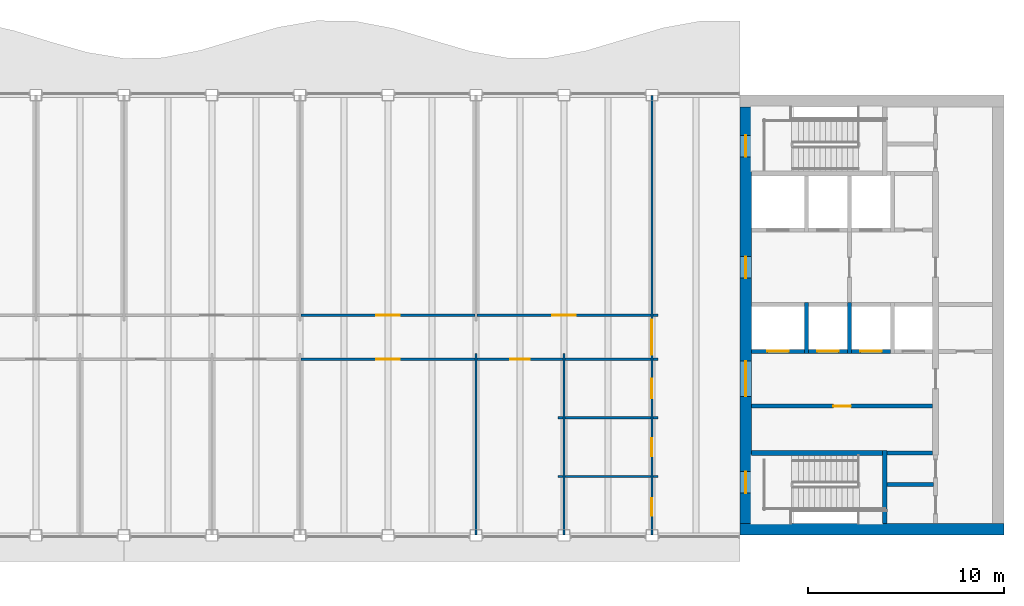
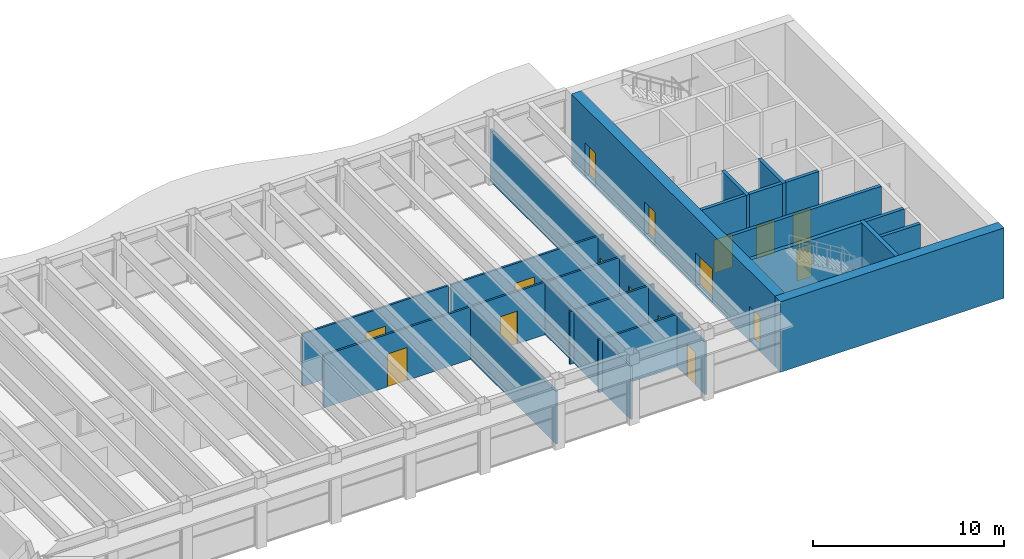
# One storey, part 9 of 14: 28 walls, 16 doors, 16 openings.
"""IFC4 building model written with IfcOpenShell, lengths in metres."""

from ifc_helpers import new_model, si_unit, direction, frame, frame_2d, origin, place, context, subcontext, project, spatial, rectangle, extrude, material, layer, layer_set, type_object, element, fill, save


model = new_model("IFC4")

# Units and contexts
model_context = context("Model", 3, precision=1e-05, world=origin(), true_north=direction((0.0, 1.0)))
body_context = subcontext(model_context, "Body", "Model", "MODEL_VIEW")
ifc_project = project(units=[si_unit("LENGTHUNIT", "METRE"), si_unit("AREAUNIT", "SQUARE_METRE"), si_unit("VOLUMEUNIT", "CUBIC_METRE"), si_unit("PLANEANGLEUNIT", "RADIAN"), si_unit("MASSUNIT", "GRAM", prefix="KILO")], contexts=[model_context])

# Site, building, storey
site_placement = place(None, origin())
site = spatial("IfcSite", under=ifc_project, at=site_placement, CompositionType="ELEMENT")
building_placement = place(site_placement, origin())
building = spatial("IfcBuilding", under=site, at=building_placement, Name="Sennacour Bend Tower", CompositionType="ELEMENT")
storey_placement = place(building_placement, frame((0.0, 0.0, 332.0)))
storey = spatial("IfcBuildingStorey", under=building, at=storey_placement, Name="L76", CompositionType="ELEMENT", Elevation=332.0)

# Wall
ifc_material_1 = material(Name="Concrete C50/60", Category="concrete")
ifc_layer_1 = layer(ifc_material_1, 0.60009765625, Name="Concrete C50/60", Category="concrete")
ifc_layer_set_1 = layer_set([ifc_layer_1], Name="Concrete C50/60")
wall_type_1 = type_object("IfcWallType", Name="Core wall 600 C50/60", PredefinedType="SHEAR", material=ifc_layer_set_1)
wall_1_placement = place(storey_placement, frame((67.5, 0.300048828125, -0.14990234375), z_axis=(0.0, 0.0, 1.0), x_axis=(-1.0, 0.0, 0.0)))
element("IfcWall", 1, at=wall_1_placement, inside=storey, type_object=wall_type_1, Name="Core A wall L76 S", PredefinedType="SHEAR", context=body_context, shape_type="SweptSolid", body=[
    extrude(rectangle(XDim=13.5, YDim=0.60009765625, at=frame_2d((6.75, 0.0))), origin(), (0.0, 0.0, 1.0), 4.5),
])

# Wall, openings, doors
wall_2_placement = place(storey_placement, frame((54.300048828125, 0.60009765625, -0.14990234375), z_axis=(0.0, 0.0, 1.0), x_axis=(0.0, 1.0, 0.0)))
wall_2 = element("IfcWall", 2, at=wall_2_placement, inside=storey, type_object=wall_type_1, Name="Core A wall L76 W", PredefinedType="SHEAR", context=body_context, shape_type="SweptSolid", body=[
    extrude(rectangle(XDim=21.2998046875, YDim=0.60009765625, at=frame_2d((10.64990234375, 0.0))), origin(), (0.0, 0.0, 1.0), 4.5),
])
opening_1_placement = place(wall_2_placement, frame((6.5, 0.0, 0.14990234375)))
opening_1 = element("IfcOpeningElement", 3, at=opening_1_placement, cuts=wall_2, Name="Opening CD", PredefinedType="OPENING", context=body_context, shape_type="SweptSolid", body=[
    extrude(rectangle(XDim=1.800048828125, YDim=2.10009765625, at=frame_2d((0.89990234375, 1.050048828125))), frame((0.0, 0.31005859375, 0.0), z_axis=(0.0, -1.0, 0.0), x_axis=(1.0, 0.0, 0.0)), (0.0, 0.0, 1.0), 0.6201171875),
])
opening_2_placement = place(wall_2_placement, frame((12.550048828125, 0.0, 0.14990234375)))
opening_2 = element("IfcOpeningElement", 4, at=opening_2_placement, cuts=wall_2, Name="Opening FD", PredefinedType="OPENING", context=body_context, shape_type="SweptSolid", body=[
    extrude(rectangle(XDim=1.10009765625, YDim=2.10009765625, at=frame_2d((0.550048828125, 1.050048828125))), frame((0.0, 0.31005859375, 0.0), z_axis=(0.0, -1.0, 0.0), x_axis=(1.0, 0.0, 0.0)), (0.0, 0.0, 1.0), 0.6201171875),
])
opening_3_placement = place(wall_2_placement, frame((1.550048828125, 0.0, 0.14990234375)))
opening_3 = element("IfcOpeningElement", 5, at=opening_3_placement, cuts=wall_2, Name="Opening SD", PredefinedType="OPENING", context=body_context, shape_type="SweptSolid", body=[
    extrude(rectangle(XDim=1.10009765625, YDim=2.10009765625, at=frame_2d((0.550048828125, 1.050048828125))), frame((0.0, 0.31005859375, 0.0), z_axis=(0.0, -1.0, 0.0), x_axis=(1.0, 0.0, 0.0)), (0.0, 0.0, 1.0), 0.6201171875),
])
opening_4_placement = place(wall_2_placement, frame((18.75, 0.0, 0.14990234375)))
opening_4 = element("IfcOpeningElement", 6, at=opening_4_placement, cuts=wall_2, Name="Opening SD", PredefinedType="OPENING", context=body_context, shape_type="SweptSolid", body=[
    extrude(rectangle(XDim=1.10009765625, YDim=2.10009765625, at=frame_2d((0.550048828125, 1.050048828125))), frame((0.0, 0.31005859375, 0.0), z_axis=(0.0, -1.0, 0.0), x_axis=(1.0, 0.0, 0.0)), (0.0, 0.0, 1.0), 0.6201171875),
])
ifc_material_2 = material(Name="Painted steel", Category="steel")
door_type_1 = type_object("IfcDoorType", Name="DR-FFL-1100", OperationType="NOTDEFINED", PredefinedType="DOOR", material=ifc_material_2)
door_1_placement = place(opening_2_placement, origin())
door_1 = element("IfcDoor", 7, at=door_1_placement, inside=storey, type_object=door_type_1, Name="Door", OperationType="SINGLE_SWING_RIGHT", OverallHeight=2.10009765625, OverallWidth=1.10009765625, PredefinedType="DOOR", context=body_context, shape_type="SweptSolid", body=[
    extrude(rectangle(XDim=1.10009765625, YDim=2.10009765625, at=frame_2d((0.550048828125, 1.050048828125))), frame((0.0, 0.02490234375, 0.0), z_axis=(0.0, -1.0, 0.0), x_axis=(1.0, 0.0, 0.0)), (0.0, 0.0, 1.0), 0.050048828125),
])
fill(opening_2, door_1)
door_type_2 = type_object("IfcDoorType", Name="DR-LOBBY-1800", OperationType="NOTDEFINED", PredefinedType="DOOR", material=ifc_material_2)
door_2_placement = place(opening_1_placement, origin())
door_2 = element("IfcDoor", 8, at=door_2_placement, inside=storey, type_object=door_type_2, Name="Door", OperationType="DOUBLE_DOOR_SINGLE_SWING", OverallHeight=2.10009765625, OverallWidth=1.800048828125, PredefinedType="DOOR", context=body_context, shape_type="SweptSolid", body=[
    extrude(rectangle(XDim=1.800048828125, YDim=2.10009765625, at=frame_2d((0.89990234375, 1.050048828125))), frame((0.0, 0.02490234375, 0.0), z_axis=(0.0, -1.0, 0.0), x_axis=(1.0, 0.0, 0.0)), (0.0, 0.0, 1.0), 0.050048828125),
])
fill(opening_1, door_2)
door_type_3 = type_object("IfcDoorType", Name="DR-STAIR-1100", OperationType="NOTDEFINED", PredefinedType="DOOR", material=ifc_material_2)
door_3_placement = place(opening_3_placement, origin())
door_3 = element("IfcDoor", 9, at=door_3_placement, inside=storey, type_object=door_type_3, Name="Door", OperationType="SINGLE_SWING_LEFT", OverallHeight=2.10009765625, OverallWidth=1.10009765625, PredefinedType="DOOR", context=body_context, shape_type="SweptSolid", body=[
    extrude(rectangle(XDim=1.10009765625, YDim=2.10009765625, at=frame_2d((0.550048828125, 1.050048828125))), frame((0.0, 0.02490234375, 0.0), z_axis=(0.0, -1.0, 0.0), x_axis=(1.0, 0.0, 0.0)), (0.0, 0.0, 1.0), 0.050048828125),
])
fill(opening_3, door_3)
door_4_placement = place(opening_4_placement, origin())
door_4 = element("IfcDoor", 10, at=door_4_placement, inside=storey, type_object=door_type_3, Name="Door", OperationType="SINGLE_SWING_RIGHT", OverallHeight=2.10009765625, OverallWidth=1.10009765625, PredefinedType="DOOR", context=body_context, shape_type="SweptSolid", body=[
    extrude(rectangle(XDim=1.10009765625, YDim=2.10009765625, at=frame_2d((0.550048828125, 1.050048828125))), frame((0.0, 0.02490234375, 0.0), z_axis=(0.0, -1.0, 0.0), x_axis=(1.0, 0.0, 0.0)), (0.0, 0.0, 1.0), 0.050048828125),
])
fill(opening_4, door_4)

# Walls
ifc_material_3 = material(Name="Plasterboard partition on steel studs", Category="steel")
ifc_layer_2 = layer(ifc_material_3, 0.1201171875, Name="Plasterboard partition on steel studs", Category="steel")
ifc_layer_set_2 = layer_set([ifc_layer_2], Name="Plasterboard partition on steel studs")
wall_type_2 = type_object("IfcWallType", Name="Partition 120", PredefinedType="PARTITIONING", material=ifc_layer_set_2)
for number, where, z_axis, x_axis, name in (
    (11, (40.5, 0.010009765625, 0.0), (0.0, 0.0, 1.0), (0.0, 1.0, 0.0), "P-L76-W014a"),
    (12, (45.0, 0.010009765625, 0.0), (0.0, 0.0, 1.0), (0.0, 1.0, 0.0), "P-L76-W016a"),
):
    element("IfcWall", number, at=place(storey_placement, frame(where, z_axis=z_axis, x_axis=x_axis)), inside=storey, type_object=wall_type_2, Name=name, PredefinedType="PARTITIONING", context=body_context, shape_type="SweptSolid", body=[
        extrude(rectangle(XDim=9.2900390625, YDim=0.1201171875, at=frame_2d((4.64501953125, 0.0))), origin(), (0.0, 0.0, 1.0), 3.35888671875),
    ])
wall_3_placement = place(storey_placement, frame((44.699951171875, 3.0, 0.0), z_axis=(0.0, 0.0, 1.0), x_axis=(1.0, 0.0, 0.0)))
element("IfcWall", 13, at=wall_3_placement, inside=storey, type_object=wall_type_2, Name="P-L76-W033aa", PredefinedType="PARTITIONING", context=body_context, shape_type="SweptSolid", body=[
    extrude(rectangle(XDim=0.239990234375, YDim=0.1201171875, at=frame_2d((0.1201171875, 0.0))), origin(), (0.0, 0.0, 1.0), 3.35888671875),
])
wall_4_placement = place(storey_placement, frame((45.06005859375, 3.0, 0.0), z_axis=(0.0, 0.0, 1.0), x_axis=(1.0, 0.0, 0.0)))
element("IfcWall", 14, at=wall_4_placement, inside=storey, type_object=wall_type_2, Name="P-L76-W033ab", PredefinedType="PARTITIONING", context=body_context, shape_type="SweptSolid", body=[
    extrude(rectangle(XDim=4.3798828125, YDim=0.1201171875, at=frame_2d((2.18994140625, 0.0))), origin(), (0.0, 0.0, 1.0), 3.35888671875),
])
for number, where, z_axis, x_axis, name in (
    (15, (49.56005859375, 3.0, 0.0), (0.0, 0.0, 1.0), (1.0, 0.0, 0.0), "P-L76-W033ac"),
    (16, (44.699951171875, 6.0, 0.0), (0.0, 0.0, 1.0), (1.0, 0.0, 0.0), "P-L76-W038aa"),
):
    element("IfcWall", number, at=place(storey_placement, frame(where, z_axis=z_axis, x_axis=x_axis)), inside=storey, type_object=wall_type_2, Name=name, PredefinedType="PARTITIONING", context=body_context, shape_type="SweptSolid", body=[
        extrude(rectangle(XDim=0.239990234375, YDim=0.1201171875, at=frame_2d((0.1201171875, 0.0))), origin(), (0.0, 0.0, 1.0), 3.35888671875),
    ])
wall_5_placement = place(storey_placement, frame((45.06005859375, 6.0, 0.0), z_axis=(0.0, 0.0, 1.0), x_axis=(1.0, 0.0, 0.0)))
element("IfcWall", 17, at=wall_5_placement, inside=storey, type_object=wall_type_2, Name="P-L76-W038ab", PredefinedType="PARTITIONING", context=body_context, shape_type="SweptSolid", body=[
    extrude(rectangle(XDim=4.3798828125, YDim=0.1201171875, at=frame_2d((2.18994140625, 0.0))), origin(), (0.0, 0.0, 1.0), 3.35888671875),
])
wall_6_placement = place(storey_placement, frame((49.56005859375, 6.0, 0.0), z_axis=(0.0, 0.0, 1.0), x_axis=(1.0, 0.0, 0.0)))
element("IfcWall", 18, at=wall_6_placement, inside=storey, type_object=wall_type_2, Name="P-L76-W038ac", PredefinedType="PARTITIONING", context=body_context, shape_type="SweptSolid", body=[
    extrude(rectangle(XDim=0.239990234375, YDim=0.1201171875, at=frame_2d((0.1201171875, 0.0))), origin(), (0.0, 0.0, 1.0), 3.35888671875),
])

# Wall, opening, door
wall_7_placement = place(storey_placement, frame((31.56005859375, 9.0, 0.0), z_axis=(0.0, 0.0, 1.0), x_axis=(1.0, 0.0, 0.0)))
wall_7 = element("IfcWall", 19, at=wall_7_placement, inside=storey, type_object=wall_type_2, Name="P-L76-W040af", PredefinedType="PARTITIONING", context=body_context, shape_type="SweptSolid", body=[
    extrude(rectangle(XDim=8.8798828125, YDim=0.1201171875, at=frame_2d((4.43994140625, 0.0))), origin(), (0.0, 0.0, 1.0), 3.35888671875),
])
opening_5_placement = place(wall_7_placement, frame((3.83984375, 0.0, 0.0)))
opening_5 = element("IfcOpeningElement", 20, at=opening_5_placement, cuts=wall_7, Name="Opening OD", PredefinedType="OPENING", context=body_context, shape_type="SweptSolid", body=[
    extrude(rectangle(XDim=1.199951171875, YDim=2.10009765625, at=frame_2d((0.60009765625, 1.050048828125))), frame((0.0, 0.070068359375, 0.0), z_axis=(0.0, -1.0, 0.0), x_axis=(1.0, 0.0, 0.0)), (0.0, 0.0, 1.0), 0.14013671875),
])
ifc_material_4 = material(Name="Timber", Category="wood")
door_type_4 = type_object("IfcDoorType", Name="DR-OFFICE-1200", OperationType="NOTDEFINED", PredefinedType="DOOR", material=ifc_material_4)
door_5_placement = place(opening_5_placement, origin())
door_5 = element("IfcDoor", 21, at=door_5_placement, inside=storey, type_object=door_type_4, Name="Door", OperationType="SINGLE_SWING_LEFT", OverallHeight=2.10009765625, OverallWidth=1.199951171875, PredefinedType="DOOR", context=body_context, shape_type="SweptSolid", body=[
    extrude(rectangle(XDim=1.199951171875, YDim=2.10009765625, at=frame_2d((0.60009765625, 1.050048828125))), frame((0.0, 0.02490234375, 0.0), z_axis=(0.0, -1.0, 0.0), x_axis=(1.0, 0.0, 0.0)), (0.0, 0.0, 1.0), 0.050048828125),
])
fill(opening_5, door_5)

wall_8_placement = place(storey_placement, frame((40.56005859375, 9.0, 0.0), z_axis=(0.0, 0.0, 1.0), x_axis=(1.0, 0.0, 0.0)))
wall_8 = element("IfcWall", 22, at=wall_8_placement, inside=storey, type_object=wall_type_2, Name="P-L76-W040ag", PredefinedType="PARTITIONING", context=body_context, shape_type="SweptSolid", body=[
    extrude(rectangle(XDim=4.3798828125, YDim=0.1201171875, at=frame_2d((2.18994140625, 0.0))), origin(), (0.0, 0.0, 1.0), 3.35888671875),
])
opening_6_placement = place(wall_8_placement, frame((1.68994140625, 0.0, 0.0)))
opening_6 = element("IfcOpeningElement", 23, at=opening_6_placement, cuts=wall_8, Name="Opening OD2", PredefinedType="OPENING", context=body_context, shape_type="SweptSolid", body=[
    extrude(rectangle(XDim=1.0, YDim=2.10009765625, at=frame_2d((0.5, 1.050048828125))), frame((0.0, 0.070068359375, 0.0), z_axis=(0.0, -1.0, 0.0), x_axis=(1.0, 0.0, 0.0)), (0.0, 0.0, 1.0), 0.14013671875),
])
door_type_5 = type_object("IfcDoorType", Name="DR-OFFICE-1000", OperationType="NOTDEFINED", PredefinedType="DOOR", material=ifc_material_4)
door_6_placement = place(opening_6_placement, origin())
door_6 = element("IfcDoor", 24, at=door_6_placement, inside=storey, type_object=door_type_5, Name="Door", OperationType="SINGLE_SWING_LEFT", OverallHeight=2.10009765625, OverallWidth=1.0, PredefinedType="DOOR", context=body_context, shape_type="SweptSolid", body=[
    extrude(rectangle(XDim=1.0, YDim=2.10009765625, at=frame_2d((0.5, 1.050048828125))), frame((0.0, 0.02490234375, 0.0), z_axis=(0.0, -1.0, 0.0), x_axis=(1.0, 0.0, 0.0)), (0.0, 0.0, 1.0), 0.050048828125),
])
fill(opening_6, door_6)

# Walls
wall_9_placement = place(storey_placement, frame((45.06005859375, 9.0, 0.0), z_axis=(0.0, 0.0, 1.0), x_axis=(1.0, 0.0, 0.0)))
element("IfcWall", 25, at=wall_9_placement, inside=storey, type_object=wall_type_2, Name="P-L76-W040ah", PredefinedType="PARTITIONING", context=body_context, shape_type="SweptSolid", body=[
    extrude(rectangle(XDim=4.3798828125, YDim=0.1201171875, at=frame_2d((2.18994140625, 0.0))), origin(), (0.0, 0.0, 1.0), 3.35888671875),
])
wall_10_placement = place(storey_placement, frame((49.56005859375, 9.0, 0.0), z_axis=(0.0, 0.0, 1.0), x_axis=(1.0, 0.0, 0.0)))
element("IfcWall", 26, at=wall_10_placement, inside=storey, type_object=wall_type_2, Name="P-L76-W040ai", PredefinedType="PARTITIONING", context=body_context, shape_type="SweptSolid", body=[
    extrude(rectangle(XDim=0.239990234375, YDim=0.1201171875, at=frame_2d((0.1201171875, 0.0))), origin(), (0.0, 0.0, 1.0), 3.35888671875),
])

# Wall, opening, door
wall_11_placement = place(storey_placement, frame((31.56005859375, 11.25, 0.0), z_axis=(0.0, 0.0, 1.0), x_axis=(1.0, 0.0, 0.0)))
wall_11 = element("IfcWall", 27, at=wall_11_placement, inside=storey, type_object=wall_type_2, Name="P-L76-W043ae", PredefinedType="PARTITIONING", context=body_context, shape_type="SweptSolid", body=[
    extrude(rectangle(XDim=8.8798828125, YDim=0.1201171875, at=frame_2d((4.43994140625, 0.0))), origin(), (0.0, 0.0, 1.0), 3.35888671875),
])
opening_7_placement = place(wall_11_placement, frame((3.83984375, 0.0, 0.0)))
opening_7 = element("IfcOpeningElement", 28, at=opening_7_placement, cuts=wall_11, Name="Opening MD", PredefinedType="OPENING", context=body_context, shape_type="SweptSolid", body=[
    extrude(rectangle(XDim=1.199951171875, YDim=2.10009765625, at=frame_2d((0.60009765625, 1.050048828125))), frame((0.0, 0.070068359375, 0.0), z_axis=(0.0, -1.0, 0.0), x_axis=(1.0, 0.0, 0.0)), (0.0, 0.0, 1.0), 0.14013671875),
])
door_type_6 = type_object("IfcDoorType", Name="DR-MEETING-1200", OperationType="NOTDEFINED", PredefinedType="DOOR", material=ifc_material_4)
door_7_placement = place(opening_7_placement, origin())
door_7 = element("IfcDoor", 29, at=door_7_placement, inside=storey, type_object=door_type_6, Name="Door", OperationType="SINGLE_SWING_LEFT", OverallHeight=2.10009765625, OverallWidth=1.199951171875, PredefinedType="DOOR", context=body_context, shape_type="SweptSolid", body=[
    extrude(rectangle(XDim=1.199951171875, YDim=2.10009765625, at=frame_2d((0.60009765625, 1.050048828125))), frame((0.0, 0.02490234375, 0.0), z_axis=(0.0, -1.0, 0.0), x_axis=(1.0, 0.0, 0.0)), (0.0, 0.0, 1.0), 0.050048828125),
])
fill(opening_7, door_7)

# Wall
wall_12_placement = place(storey_placement, frame((49.56005859375, 11.25, 0.0), z_axis=(0.0, 0.0, 1.0), x_axis=(1.0, 0.0, 0.0)))
element("IfcWall", 30, at=wall_12_placement, inside=storey, type_object=wall_type_2, Name="P-L76-W043ag", PredefinedType="PARTITIONING", context=body_context, shape_type="SweptSolid", body=[
    extrude(rectangle(XDim=0.239990234375, YDim=0.1201171875, at=frame_2d((0.1201171875, 0.0))), origin(), (0.0, 0.0, 1.0), 3.35888671875),
])

# Wall, openings, doors
ifc_layer_3 = layer(ifc_material_3, 0.1201171875, Name="Plasterboard partition on steel studs", Category="steel")
ifc_layer_set_3 = layer_set([ifc_layer_3], Name="Plasterboard partition on steel studs")
wall_type_3 = type_object("IfcWallType", Name="Partition 120 EI 30", PredefinedType="PARTITIONING", material=ifc_layer_set_3)
wall_13_placement = place(storey_placement, frame((49.5, 0.010009765625, 0.0), z_axis=(0.0, 0.0, 1.0), x_axis=(0.0, 1.0, 0.0)))
wall_13 = element("IfcWall", 31, at=wall_13_placement, inside=storey, type_object=wall_type_3, Name="P-L76-W017a", PredefinedType="PARTITIONING", context=body_context, shape_type="SweptSolid", body=[
    extrude(rectangle(XDim=22.47998046875, YDim=0.1201171875, at=frame_2d((11.239990234375, 0.0))), origin(), (0.0, 0.0, 1.0), 3.35888671875),
])
opening_8_placement = place(wall_13_placement, frame((9.215087890625, 0.0, 0.0)))
opening_8 = element("IfcOpeningElement", 32, at=opening_8_placement, cuts=wall_13, Name="Opening KD3", PredefinedType="OPENING", context=body_context, shape_type="SweptSolid", body=[
    extrude(rectangle(XDim=1.800048828125, YDim=2.10009765625, at=frame_2d((0.89990234375, 1.050048828125))), frame((0.0, 0.070068359375, 0.0), z_axis=(0.0, -1.0, 0.0), x_axis=(1.0, 0.0, 0.0)), (0.0, 0.0, 1.0), 0.14013671875),
])
opening_9_placement = place(wall_13_placement, frame((0.989990234375, 0.0, 0.0)))
opening_9 = element("IfcOpeningElement", 33, at=opening_9_placement, cuts=wall_13, Name="Opening WD", PredefinedType="OPENING", context=body_context, shape_type="SweptSolid", body=[
    extrude(rectangle(XDim=0.89990234375, YDim=2.10009765625, at=frame_2d((0.449951171875, 1.050048828125))), frame((0.0, 0.070068359375, 0.0), z_axis=(0.0, -1.0, 0.0), x_axis=(1.0, 0.0, 0.0)), (0.0, 0.0, 1.0), 0.14013671875),
])
opening_10_placement = place(wall_13_placement, frame((4.0400390625, 0.0, 0.0)))
opening_10 = element("IfcOpeningElement", 34, at=opening_10_placement, cuts=wall_13, Name="Opening WD", PredefinedType="OPENING", context=body_context, shape_type="SweptSolid", body=[
    extrude(rectangle(XDim=0.89990234375, YDim=2.10009765625, at=frame_2d((0.449951171875, 1.050048828125))), frame((0.0, 0.070068359375, 0.0), z_axis=(0.0, -1.0, 0.0), x_axis=(1.0, 0.0, 0.0)), (0.0, 0.0, 1.0), 0.14013671875),
])
opening_11_placement = place(wall_13_placement, frame((6.989990234375, 0.0, 0.0)))
opening_11 = element("IfcOpeningElement", 35, at=opening_11_placement, cuts=wall_13, Name="Opening AD", PredefinedType="OPENING", context=body_context, shape_type="SweptSolid", body=[
    extrude(rectangle(XDim=1.0, YDim=2.10009765625, at=frame_2d((0.5, 1.050048828125))), frame((0.0, 0.070068359375, 0.0), z_axis=(0.0, -1.0, 0.0), x_axis=(1.0, 0.0, 0.0)), (0.0, 0.0, 1.0), 0.14013671875),
])
door_type_7 = type_object("IfcDoorType", Name="DR-ACC-WC-1000", OperationType="NOTDEFINED", PredefinedType="DOOR", material=ifc_material_4)
door_8_placement = place(opening_11_placement, origin())
door_8 = element("IfcDoor", 36, at=door_8_placement, inside=storey, type_object=door_type_7, Name="Door", OperationType="SINGLE_SWING_LEFT", OverallHeight=2.10009765625, OverallWidth=1.0, PredefinedType="DOOR", context=body_context, shape_type="SweptSolid", body=[
    extrude(rectangle(XDim=1.0, YDim=2.10009765625, at=frame_2d((0.5, 1.050048828125))), frame((0.0, 0.02490234375, 0.0), z_axis=(0.0, -1.0, 0.0), x_axis=(1.0, 0.0, 0.0)), (0.0, 0.0, 1.0), 0.050048828125),
])
fill(opening_11, door_8)
door_type_8 = type_object("IfcDoorType", Name="DR-CORRIDOR-1800", OperationType="NOTDEFINED", PredefinedType="DOOR", material=ifc_material_2)
door_9_placement = place(opening_8_placement, origin())
door_9 = element("IfcDoor", 37, at=door_9_placement, inside=storey, type_object=door_type_8, Name="Door", OperationType="DOUBLE_DOOR_SINGLE_SWING", OverallHeight=2.10009765625, OverallWidth=1.800048828125, PredefinedType="DOOR", context=body_context, shape_type="SweptSolid", body=[
    extrude(rectangle(XDim=1.800048828125, YDim=2.10009765625, at=frame_2d((0.89990234375, 1.050048828125))), frame((0.0, 0.02490234375, 0.0), z_axis=(0.0, -1.0, 0.0), x_axis=(1.0, 0.0, 0.0)), (0.0, 0.0, 1.0), 0.050048828125),
])
fill(opening_8, door_9)
door_type_9 = type_object("IfcDoorType", Name="DR-WC-900", OperationType="NOTDEFINED", PredefinedType="DOOR", material=ifc_material_4)
door_10_placement = place(opening_9_placement, origin())
door_10 = element("IfcDoor", 38, at=door_10_placement, inside=storey, type_object=door_type_9, Name="Door", OperationType="SINGLE_SWING_LEFT", OverallHeight=2.10009765625, OverallWidth=0.89990234375, PredefinedType="DOOR", context=body_context, shape_type="SweptSolid", body=[
    extrude(rectangle(XDim=0.89990234375, YDim=2.10009765625, at=frame_2d((0.449951171875, 1.050048828125))), frame((0.0, 0.02490234375, 0.0), z_axis=(0.0, -1.0, 0.0), x_axis=(1.0, 0.0, 0.0)), (0.0, 0.0, 1.0), 0.050048828125),
])
fill(opening_9, door_10)
door_11_placement = place(opening_10_placement, origin())
door_11 = element("IfcDoor", 39, at=door_11_placement, inside=storey, type_object=door_type_9, Name="Door", OperationType="SINGLE_SWING_LEFT", OverallHeight=2.10009765625, OverallWidth=0.89990234375, PredefinedType="DOOR", context=body_context, shape_type="SweptSolid", body=[
    extrude(rectangle(XDim=0.89990234375, YDim=2.10009765625, at=frame_2d((0.449951171875, 1.050048828125))), frame((0.0, 0.02490234375, 0.0), z_axis=(0.0, -1.0, 0.0), x_axis=(1.0, 0.0, 0.0)), (0.0, 0.0, 1.0), 0.050048828125),
])
fill(opening_10, door_11)

# Wall, opening, door
ifc_layer_4 = layer(ifc_material_3, 0.1201171875, Name="Plasterboard partition on steel studs", Category="steel")
ifc_layer_set_4 = layer_set([ifc_layer_4], Name="Plasterboard partition on steel studs")
wall_type_4 = type_object("IfcWallType", Name="Partition 120 EI 60", PredefinedType="PARTITIONING", material=ifc_layer_set_4)
wall_14_placement = place(storey_placement, frame((40.56005859375, 11.25, 0.0), z_axis=(0.0, 0.0, 1.0), x_axis=(1.0, 0.0, 0.0)))
wall_14 = element("IfcWall", 40, at=wall_14_placement, inside=storey, type_object=wall_type_4, Name="P-L76-W043af", PredefinedType="PARTITIONING", context=body_context, shape_type="SweptSolid", body=[
    extrude(rectangle(XDim=8.8798828125, YDim=0.1201171875, at=frame_2d((4.43994140625, 0.0))), origin(), (0.0, 0.0, 1.0), 3.35888671875),
])
opening_12_placement = place(wall_14_placement, frame((3.83984375, 0.0, 0.0)))
opening_12 = element("IfcOpeningElement", 41, at=opening_12_placement, cuts=wall_14, Name="Opening SV5", PredefinedType="OPENING", context=body_context, shape_type="SweptSolid", body=[
    extrude(rectangle(XDim=1.199951171875, YDim=2.10009765625, at=frame_2d((0.60009765625, 1.050048828125))), frame((0.0, 0.070068359375, 0.0), z_axis=(0.0, -1.0, 0.0), x_axis=(1.0, 0.0, 0.0)), (0.0, 0.0, 1.0), 0.14013671875),
])
door_type_10 = type_object("IfcDoorType", Name="DR-SERVICE-1200", OperationType="NOTDEFINED", PredefinedType="DOOR", material=ifc_material_2)
door_12_placement = place(opening_12_placement, origin())
door_12 = element("IfcDoor", 42, at=door_12_placement, inside=storey, type_object=door_type_10, Name="Door", OperationType="SINGLE_SWING_LEFT", OverallHeight=2.10009765625, OverallWidth=1.199951171875, PredefinedType="DOOR", context=body_context, shape_type="SweptSolid", body=[
    extrude(rectangle(XDim=1.199951171875, YDim=2.10009765625, at=frame_2d((0.60009765625, 1.050048828125))), frame((0.0, 0.02490234375, 0.0), z_axis=(0.0, -1.0, 0.0), x_axis=(1.0, 0.0, 0.0)), (0.0, 0.0, 1.0), 0.050048828125),
])
fill(opening_12, door_12)

# Walls
ifc_material_5 = material(Name="Fire-rated plasterboard partition on steel studs", Category="steel")
ifc_layer_5 = layer(ifc_material_5, 0.199951171875, Name="Fire-rated plasterboard partition on steel studs", Category="steel")
ifc_layer_set_5 = layer_set([ifc_layer_5], Name="Fire-rated plasterboard partition on steel studs")
wall_type_5 = type_object("IfcWallType", Name="Rated partition 200", PredefinedType="PARTITIONING", material=ifc_layer_set_5)
wall_15_placement = place(storey_placement, frame((61.52490234375, 2.60009765625, 0.0), z_axis=(0.0, 0.0, 1.0), x_axis=(1.0, 0.0, 0.0)))
element("IfcWall", 43, at=wall_15_placement, inside=storey, type_object=wall_type_5, Name="P-L76-W032", PredefinedType="PARTITIONING", context=body_context, shape_type="SweptSolid", body=[
    extrude(rectangle(XDim=2.375, YDim=0.199951171875, at=frame_2d((1.1875, 0.0))), origin(), (0.0, 0.0, 1.0), 4.35009765625),
])
wall_16_placement = place(storey_placement, frame((61.52490234375, 4.199951171875, 0.0), z_axis=(0.0, 0.0, 1.0), x_axis=(1.0, 0.0, 0.0)))
element("IfcWall", 44, at=wall_16_placement, inside=storey, type_object=wall_type_5, Name="P-L76-W037", PredefinedType="PARTITIONING", context=body_context, shape_type="SweptSolid", body=[
    extrude(rectangle(XDim=2.3251953125, YDim=0.199951171875, at=frame_2d((1.16259765625, 0.0))), origin(), (0.0, 0.0, 1.0), 4.35009765625),
])

# Wall, opening, door
wall_17_placement = place(storey_placement, frame((54.60009765625, 6.60009765625, 0.0), z_axis=(0.0, 0.0, 1.0), x_axis=(1.0, 0.0, 0.0)))
wall_17 = element("IfcWall", 45, at=wall_17_placement, inside=storey, type_object=wall_type_5, Name="P-L76-W039", PredefinedType="PARTITIONING", context=body_context, shape_type="SweptSolid", body=[
    extrude(rectangle(XDim=9.25, YDim=0.199951171875, at=frame_2d((4.625, 0.0))), origin(), (0.0, 0.0, 1.0), 4.35009765625),
])
opening_13_placement = place(wall_17_placement, frame((4.1748046875, 0.0, 0.0)))
opening_13 = element("IfcOpeningElement", 46, at=opening_13_placement, cuts=wall_17, Name="Opening SV", PredefinedType="OPENING", context=body_context, shape_type="SweptSolid", body=[
    extrude(rectangle(XDim=0.89990234375, YDim=2.10009765625, at=frame_2d((0.449951171875, 1.050048828125))), frame((0.0, 0.10986328125, 0.0), z_axis=(0.0, -1.0, 0.0), x_axis=(1.0, 0.0, 0.0)), (0.0, 0.0, 1.0), 0.219970703125),
])
door_type_11 = type_object("IfcDoorType", Name="DR-SERVICE-900", OperationType="NOTDEFINED", PredefinedType="DOOR", material=ifc_material_2)
door_13_placement = place(opening_13_placement, origin())
door_13 = element("IfcDoor", 47, at=door_13_placement, inside=storey, type_object=door_type_11, Name="Door", OperationType="SINGLE_SWING_LEFT", OverallHeight=2.10009765625, OverallWidth=0.89990234375, PredefinedType="DOOR", context=body_context, shape_type="SweptSolid", body=[
    extrude(rectangle(XDim=0.89990234375, YDim=2.10009765625, at=frame_2d((0.449951171875, 1.050048828125))), frame((0.0, 0.02490234375, 0.0), z_axis=(0.0, -1.0, 0.0), x_axis=(1.0, 0.0, 0.0)), (0.0, 0.0, 1.0), 0.050048828125),
])
fill(opening_13, door_13)

# Walls
ifc_layer_6 = layer(ifc_material_1, 0.199951171875, Name="Concrete C50/60", Category="concrete")
ifc_layer_set_6 = layer_set([ifc_layer_6], Name="Concrete C50/60")
wall_type_6 = type_object("IfcWallType", Name="Shaft wall 200", PredefinedType="SOLIDWALL", material=ifc_layer_set_6)
for number, where, z_axis, x_axis, name in (
    (48, (57.39990234375, 9.300048828125, 0.0), (0.0, 0.0, 1.0), (0.0, 1.0, 0.0), "P-L76-W018"),
    (49, (59.60009765625, 9.300048828125, 0.0), (0.0, 0.0, 1.0), (0.0, 1.0, 0.0), "P-L76-W020"),
):
    element("IfcWall", number, at=place(storey_placement, frame(where, z_axis=z_axis, x_axis=x_axis)), inside=storey, type_object=wall_type_6, Name=name, PredefinedType="SOLIDWALL", context=body_context, shape_type="SweptSolid", body=[
        extrude(rectangle(XDim=2.599853515625, YDim=0.199951171875, at=frame_2d((1.2998046875, 0.0))), origin(), (0.0, 0.0, 1.0), 4.35009765625),
    ])

# Wall, opening, door
wall_18_placement = place(storey_placement, frame((54.60009765625, 9.39990234375, 0.0), z_axis=(0.0, 0.0, 1.0), x_axis=(1.0, 0.0, 0.0)))
wall_18 = element("IfcWall", 50, at=wall_18_placement, inside=storey, type_object=wall_type_6, Name="P-L76-W041a", PredefinedType="SOLIDWALL", context=body_context, shape_type="SweptSolid", body=[
    extrude(rectangle(XDim=2.699951171875, YDim=0.199951171875, at=frame_2d((1.35009765625, 0.0))), origin(), (0.0, 0.0, 1.0), 4.35009765625),
])
opening_14_placement = place(wall_18_placement, frame((0.7998046875, 0.0, 0.011962890625)))
opening_14 = element("IfcOpeningElement", 51, at=opening_14_placement, cuts=wall_18, Name="Opening LD", PredefinedType="OPENING", context=body_context, shape_type="SweptSolid", body=[
    extrude(rectangle(XDim=1.10009765625, YDim=2.10009765625, at=frame_2d((0.550048828125, 1.050048828125))), frame((0.0, 0.10986328125, 0.0), z_axis=(0.0, -1.0, 0.0), x_axis=(1.0, 0.0, 0.0)), (0.0, 0.0, 1.0), 0.219970703125),
])
ifc_material_6 = material(Name="Stainless steel", Category="steel")
door_type_12 = type_object("IfcDoorType", Name="DR-LANDING-1100", OperationType="NOTDEFINED", PredefinedType="DOOR", material=ifc_material_6)
door_14_placement = place(opening_14_placement, origin())
door_14 = element("IfcDoor", 52, at=door_14_placement, inside=storey, type_object=door_type_12, Name="Lift landing door HA1", OperationType="SLIDING_TO_LEFT", OverallHeight=2.10009765625, OverallWidth=1.10009765625, PredefinedType="DOOR", context=body_context, shape_type="SweptSolid", body=[
    extrude(rectangle(XDim=1.10009765625, YDim=2.10009765625, at=frame_2d((0.550048828125, 1.050048828125))), frame((0.0, 0.02490234375, 0.0), z_axis=(0.0, -1.0, 0.0), x_axis=(1.0, 0.0, 0.0)), (0.0, 0.0, 1.0), 0.050048828125),
])
fill(opening_14, door_14)

wall_19_placement = place(storey_placement, frame((57.5, 9.39990234375, 0.0), z_axis=(0.0, 0.0, 1.0), x_axis=(1.0, 0.0, 0.0)))
wall_19 = element("IfcWall", 53, at=wall_19_placement, inside=storey, type_object=wall_type_6, Name="P-L76-W041b", PredefinedType="SOLIDWALL", context=body_context, shape_type="SweptSolid", body=[
    extrude(rectangle(XDim=2.0, YDim=0.199951171875, at=frame_2d((1.0, 0.0))), origin(), (0.0, 0.0, 1.0), 4.35009765625),
])
opening_15_placement = place(wall_19_placement, frame((0.449951171875, 0.0, 0.011962890625)))
opening_15 = element("IfcOpeningElement", 54, at=opening_15_placement, cuts=wall_19, Name="Opening LD", PredefinedType="OPENING", context=body_context, shape_type="SweptSolid", body=[
    extrude(rectangle(XDim=1.10009765625, YDim=2.10009765625, at=frame_2d((0.550048828125, 1.050048828125))), frame((0.0, 0.10986328125, 0.0), z_axis=(0.0, -1.0, 0.0), x_axis=(1.0, 0.0, 0.0)), (0.0, 0.0, 1.0), 0.219970703125),
])
door_15_placement = place(opening_15_placement, origin())
door_15 = element("IfcDoor", 55, at=door_15_placement, inside=storey, type_object=door_type_12, Name="Lift landing door HA2", OperationType="SLIDING_TO_RIGHT", OverallHeight=2.10009765625, OverallWidth=1.10009765625, PredefinedType="DOOR", context=body_context, shape_type="SweptSolid", body=[
    extrude(rectangle(XDim=1.10009765625, YDim=2.10009765625, at=frame_2d((0.550048828125, 1.050048828125))), frame((0.0, 0.02490234375, 0.0), z_axis=(0.0, -1.0, 0.0), x_axis=(1.0, 0.0, 0.0)), (0.0, 0.0, 1.0), 0.050048828125),
])
fill(opening_15, door_15)

wall_20_placement = place(storey_placement, frame((59.699951171875, 9.39990234375, 0.0), z_axis=(0.0, 0.0, 1.0), x_axis=(1.0, 0.0, 0.0)))
wall_20 = element("IfcWall", 56, at=wall_20_placement, inside=storey, type_object=wall_type_6, Name="P-L76-W041c", PredefinedType="SOLIDWALL", context=body_context, shape_type="SweptSolid", body=[
    extrude(rectangle(XDim=2.0, YDim=0.199951171875, at=frame_2d((1.0, 0.0))), origin(), (0.0, 0.0, 1.0), 4.35009765625),
])
opening_16_placement = place(wall_20_placement, frame((0.449951171875, 0.0, 0.011962890625)))
opening_16 = element("IfcOpeningElement", 57, at=opening_16_placement, cuts=wall_20, Name="Opening LD", PredefinedType="OPENING", context=body_context, shape_type="SweptSolid", body=[
    extrude(rectangle(XDim=1.10009765625, YDim=2.10009765625, at=frame_2d((0.550048828125, 1.050048828125))), frame((0.0, 0.10986328125, 0.0), z_axis=(0.0, -1.0, 0.0), x_axis=(1.0, 0.0, 0.0)), (0.0, 0.0, 1.0), 0.219970703125),
])
door_16_placement = place(opening_16_placement, origin())
door_16 = element("IfcDoor", 58, at=door_16_placement, inside=storey, type_object=door_type_12, Name="Lift landing door HA3", OperationType="SLIDING_TO_LEFT", OverallHeight=2.10009765625, OverallWidth=1.10009765625, PredefinedType="DOOR", context=body_context, shape_type="SweptSolid", body=[
    extrude(rectangle(XDim=1.10009765625, YDim=2.10009765625, at=frame_2d((0.550048828125, 1.050048828125))), frame((0.0, 0.02490234375, 0.0), z_axis=(0.0, -1.0, 0.0), x_axis=(1.0, 0.0, 0.0)), (0.0, 0.0, 1.0), 0.050048828125),
])
fill(opening_16, door_16)

# Walls
ifc_material_7 = material(Name="Concrete C60/75", Category="concrete")
ifc_layer_7 = layer(ifc_material_7, 0.25, Name="Concrete C60/75", Category="concrete")
ifc_layer_set_7 = layer_set([ifc_layer_7], Name="Concrete C60/75")
wall_type_7 = type_object("IfcWallType", Name="Stair wall 250", PredefinedType="SHEAR", material=ifc_layer_set_7)
wall_21_placement = place(storey_placement, frame((61.39990234375, 0.60009765625, 0.0), z_axis=(0.0, 0.0, 1.0), x_axis=(0.0, 1.0, 0.0)))
element("IfcWall", 59, at=wall_21_placement, inside=storey, type_object=wall_type_7, Name="P-L76-W023", PredefinedType="SHEAR", context=body_context, shape_type="SweptSolid", body=[
    extrude(rectangle(XDim=3.724853515625, YDim=0.25, at=frame_2d((1.8623046875, 0.0))), origin(), (0.0, 0.0, 1.0), 4.35009765625),
])
wall_22_placement = place(storey_placement, frame((54.60009765625, 4.199951171875, 0.0), z_axis=(0.0, 0.0, 1.0), x_axis=(1.0, 0.0, 0.0)))
element("IfcWall", 60, at=wall_22_placement, inside=storey, type_object=wall_type_7, Name="P-L76-W036", PredefinedType="SHEAR", context=body_context, shape_type="SweptSolid", body=[
    extrude(rectangle(XDim=6.6748046875, YDim=0.25, at=frame_2d((3.33740234375, 0.0))), origin(), (0.0, 0.0, 1.0), 4.35009765625),
])

save(model, "model.ifc")
